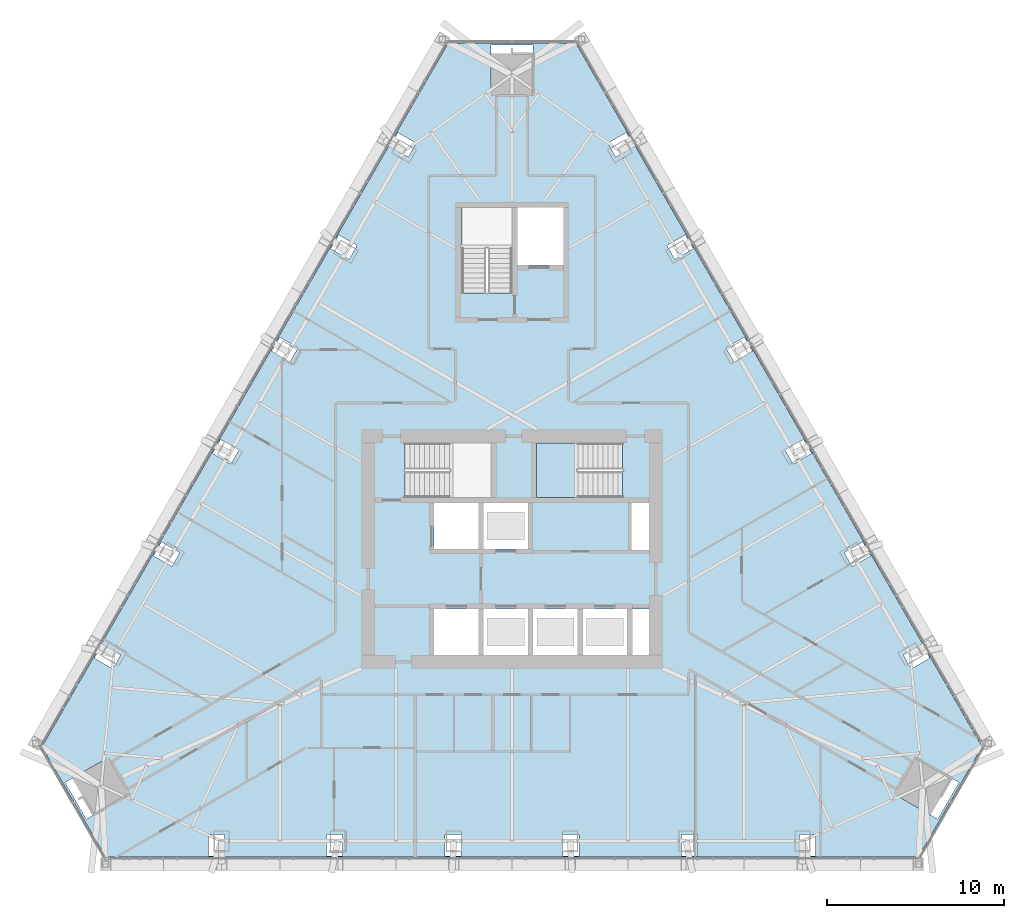
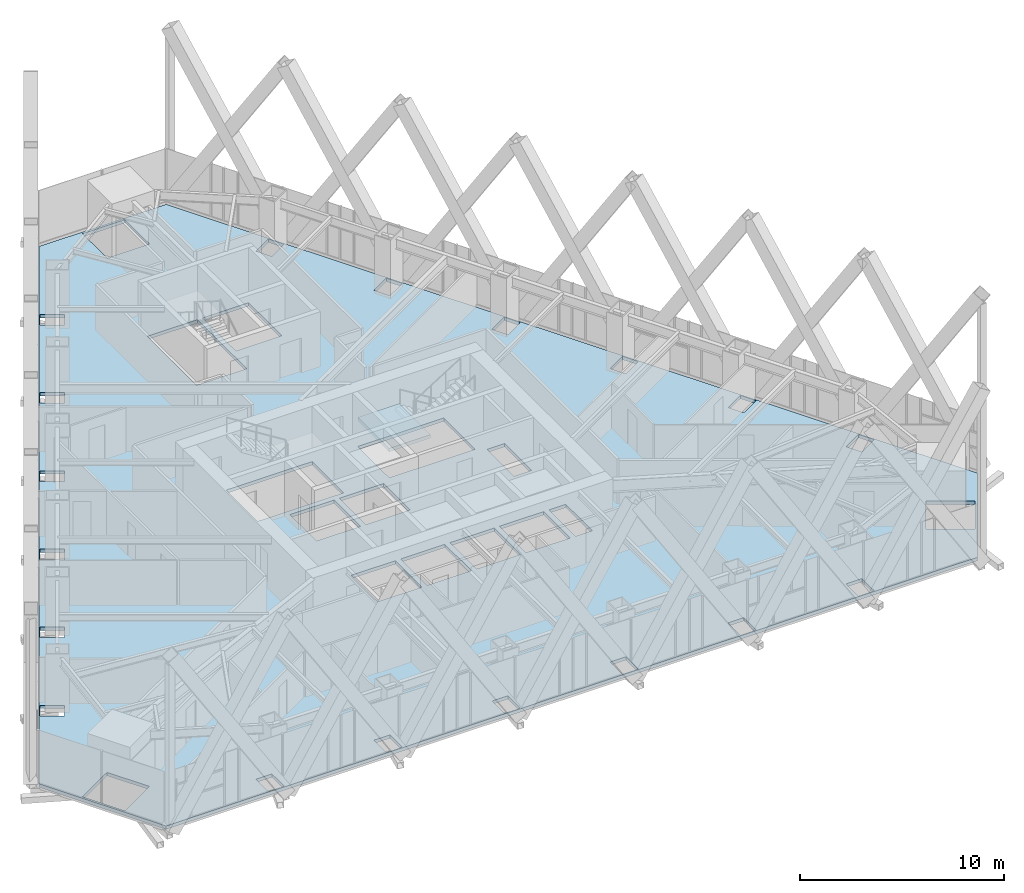
# One storey, part 15 of 25: 2 slabs, 1 element without a shape of its own.
"""IFC4 building model written with IfcOpenShell, lengths in metres."""

from ifc_helpers import new_model, si_unit, direction, frame, origin, place, context, subcontext, project, spatial, polyline, outline, extrude, material, layer, layer_set, type_object, element, aggregate, save


model = new_model("IFC4")

# Units and contexts
model_context = context("Model", 3, precision=1e-05, world=origin(), true_north=direction((0.0, 1.0)))
body_context = subcontext(model_context, "Body", "Model", "MODEL_VIEW")
ifc_project = project(units=[si_unit("LENGTHUNIT", "METRE"), si_unit("AREAUNIT", "SQUARE_METRE"), si_unit("VOLUMEUNIT", "CUBIC_METRE"), si_unit("PLANEANGLEUNIT", "RADIAN"), si_unit("MASSUNIT", "GRAM", prefix="KILO")], contexts=[model_context])

# Site, building, storey
site_placement = place(None, origin())
site = spatial("IfcSite", under=ifc_project, at=site_placement, CompositionType="ELEMENT")
building_placement = place(site_placement, origin())
building = spatial("IfcBuilding", under=site, at=building_placement, Name="Firuza Gate Tower and Library", CompositionType="ELEMENT")
storey_placement = place(building_placement, frame((0.0, 0.0, 270.60009765625)))
storey = spatial("IfcBuildingStorey", under=building, at=storey_placement, Name="L64", CompositionType="ELEMENT", Elevation=270.60009765625)

# Slab
ifc_material_1 = material(Name="Concrete C40/50", Category="concrete")
ifc_layer_1 = layer(ifc_material_1, 0.199951171875)
ifc_layer_set_1 = layer_set([ifc_layer_1], Name="Composite floor slab 200 C40/50")
slab_type_1 = type_object("IfcSlabType", Name="Composite floor slab 200 C40/50", PredefinedType="FLOOR", material=ifc_layer_set_1)
slab_1_placement = place(storey_placement, frame((0.0, 0.0, -0.2001953125)))
element("IfcSlab", 1, at=slab_1_placement, inside=storey, type_object=slab_type_1, Name="Floor slab L64", PredefinedType="FLOOR", context=body_context, shape_type="SweptSolid", body=[
    extrude(outline(polyline([(48.42138671875, 63.811767578125), (52.021240234375, 57.576416015625), (97.978759765625, 57.576416015625), (101.57861328125, 63.811767578125), (78.60009765625, 103.612060546875), (71.39990234375, 103.612060546875), (48.42138671875, 63.811767578125)]), holes=[polyline([(57.84326171875, 57.63916015625), (57.84326171875, 58.83935546875), (58.743408203125, 58.83935546875), (58.743408203125, 57.63916015625), (57.84326171875, 57.63916015625)]), polyline([(64.52587890625, 57.63916015625), (64.52587890625, 58.83935546875), (65.426025390625, 58.83935546875), (65.426025390625, 57.63916015625), (64.52587890625, 57.63916015625)]), polyline([(71.208740234375, 57.63916015625), (71.208740234375, 58.83935546875), (72.108642578125, 58.83935546875), (72.108642578125, 57.63916015625), (71.208740234375, 57.63916015625)]), polyline([(49.730224609375, 61.796142578125), (51.808837890625, 62.99609375), (53.0087890625, 60.917724609375), (50.93017578125, 59.7177734375), (49.730224609375, 61.796142578125)]), polyline([(51.8369140625, 69.601806640625), (52.8759765625, 69.001708984375), (52.426025390625, 68.22216796875), (51.38671875, 68.822265625), (51.8369140625, 69.601806640625)]), polyline([(73.10009765625, 69.0), (70.60009765625, 69.0), (70.60009765625, 71.60009765625), (73.10009765625, 71.60009765625), (73.10009765625, 69.0)]), polyline([(75.89990234375, 69.0), (73.39990234375, 69.0), (73.39990234375, 71.60009765625), (75.89990234375, 71.60009765625), (75.89990234375, 69.0)]), polyline([(55.17822265625, 75.38916015625), (56.21728515625, 74.7890625), (55.767333984375, 74.009521484375), (54.72802734375, 74.609619140625), (55.17822265625, 75.38916015625)]), polyline([(73.10009765625, 75.0), (70.60009765625, 75.0), (70.60009765625, 77.60009765625), (73.10009765625, 77.60009765625), (73.10009765625, 75.0)]), polyline([(75.89990234375, 75.0), (73.39990234375, 75.0), (73.39990234375, 77.60009765625), (75.89990234375, 77.60009765625), (75.89990234375, 75.0)]), polyline([(68.9404296875, 77.89990234375), (68.9404296875, 80.97998046875), (73.81005859375, 80.97998046875), (73.81005859375, 77.89990234375), (68.9404296875, 77.89990234375)]), polyline([(58.51953125, 81.176513671875), (59.55859375, 80.576416015625), (59.108642578125, 79.796875), (58.069580078125, 80.39697265625), (58.51953125, 81.176513671875)]), polyline([(61.86083984375, 86.9638671875), (62.900146484375, 86.36376953125), (62.449951171875, 85.584228515625), (61.410888671875, 86.184326171875), (61.86083984375, 86.9638671875)]), polyline([(72.159912109375, 89.470458984375), (72.159912109375, 94.300048828125), (75.0, 94.300048828125), (75.0, 89.470458984375), (72.159912109375, 89.470458984375)]), polyline([(65.2021484375, 92.751220703125), (66.241455078125, 92.151123046875), (65.791259765625, 91.371826171875), (64.752197265625, 91.9716796875), (65.2021484375, 92.751220703125)]), polyline([(68.54345703125, 98.53857421875), (69.582763671875, 97.9384765625), (69.1328125, 97.1591796875), (68.093505859375, 97.759033203125), (68.54345703125, 98.53857421875)]), polyline([(76.199951171875, 103.486083984375), (76.199951171875, 101.086181640625), (73.800048828125, 101.086181640625), (73.800048828125, 103.486083984375), (76.199951171875, 103.486083984375)]), polyline([(77.891357421875, 57.63916015625), (77.891357421875, 58.83935546875), (78.791259765625, 58.83935546875), (78.791259765625, 57.63916015625), (77.891357421875, 57.63916015625)]), polyline([(84.573974609375, 57.63916015625), (84.573974609375, 58.83935546875), (85.47412109375, 58.83935546875), (85.47412109375, 57.63916015625), (84.573974609375, 57.63916015625)]), polyline([(91.256591796875, 57.63916015625), (91.256591796875, 58.83935546875), (92.15673828125, 58.83935546875), (92.15673828125, 57.63916015625), (91.256591796875, 57.63916015625)]), polyline([(99.06982421875, 59.7177734375), (96.9912109375, 60.917724609375), (98.191162109375, 62.99609375), (100.269775390625, 61.796142578125), (99.06982421875, 59.7177734375)]), polyline([(98.61328125, 68.822265625), (97.573974609375, 68.22216796875), (97.1240234375, 69.001708984375), (98.1630859375, 69.601806640625), (98.61328125, 68.822265625)]), polyline([(78.699951171875, 69.0), (76.199951171875, 69.0), (76.199951171875, 71.60009765625), (78.699951171875, 71.60009765625), (78.699951171875, 69.0)]), polyline([(81.5, 69.0), (79.0, 69.0), (79.0, 71.60009765625), (81.5, 71.60009765625), (81.5, 69.0)]), polyline([(82.75, 69.0), (81.800048828125, 69.0), (81.800048828125, 71.60009765625), (82.75, 71.60009765625), (82.75, 69.0)]), polyline([(95.27197265625, 74.609619140625), (94.232666015625, 74.009521484375), (93.78271484375, 74.7890625), (94.82177734375, 75.38916015625), (95.27197265625, 74.609619140625)]), polyline([(82.75, 74.949951171875), (81.75, 74.949951171875), (81.75, 77.60009765625), (82.75, 77.60009765625), (82.75, 74.949951171875)]), polyline([(81.259521484375, 80.97998046875), (81.259521484375, 77.89990234375), (76.389892578125, 77.89990234375), (76.389892578125, 80.97998046875), (81.259521484375, 80.97998046875)]), polyline([(91.930419921875, 80.39697265625), (90.891357421875, 79.796875), (90.44140625, 80.576416015625), (91.48046875, 81.176513671875), (91.930419921875, 80.39697265625)]), polyline([(88.589111328125, 86.184326171875), (87.550048828125, 85.584228515625), (87.099853515625, 86.36376953125), (88.13916015625, 86.9638671875), (88.589111328125, 86.184326171875)]), polyline([(85.247802734375, 91.9716796875), (84.208740234375, 91.371826171875), (83.758544921875, 92.151123046875), (84.7978515625, 92.751220703125), (85.247802734375, 91.9716796875)]), polyline([(75.300048828125, 91.050048828125), (75.300048828125, 94.300048828125), (77.89990234375, 94.300048828125), (77.89990234375, 91.050048828125), (75.300048828125, 91.050048828125)]), polyline([(80.8671875, 97.1591796875), (80.417236328125, 97.9384765625), (81.45654296875, 98.53857421875), (81.906494140625, 97.759033203125), (80.8671875, 97.1591796875)])]), origin(), (0.0, 0.0, 1.0), 0.2001953125),
])

# Stair, slab
ifc_material_2 = material(Name="Concrete C35/45", Category="concrete")
stair_type = type_object("IfcStairType", Name="Exit stair ST8", PredefinedType="HALF_TURN_STAIR", material=ifc_material_2)
stair_placement = place(storey_placement, origin())
stair = element("IfcStair", 2, at=stair_placement, inside=storey, type_object=stair_type, Name="L64 Stair ST2", PredefinedType="HALF_TURN_STAIR")
ifc_material_3 = material(Name="Concrete C35/45", Category="concrete")
ifc_layer_2 = layer(ifc_material_3, 0.199951171875)
ifc_layer_set_2 = layer_set([ifc_layer_2], Name="Stair landing 200")
slab_type_2 = type_object("IfcSlabType", Name="Stair landing 200", PredefinedType="LANDING", material=ifc_layer_set_2)
slab_2_placement = place(storey_placement, frame((0.0, 0.0, 1.5498046875)))
slab_2 = element("IfcSlab", 3, at=slab_2_placement, type_object=slab_type_2, Name="ST2 landing 1", PredefinedType="LANDING", context=body_context, shape_type="SweptSolid", body=[
    extrude(outline(polyline([(78.739990234375, 80.97998046875), (76.389892578125, 80.97998046875), (76.389892578125, 77.89990234375), (78.739990234375, 77.89990234375), (78.739990234375, 80.97998046875)])), origin(), (0.0, 0.0, 1.0), 0.2001953125),
])
aggregate(stair, [slab_2])

save(model, "model.ifc")
